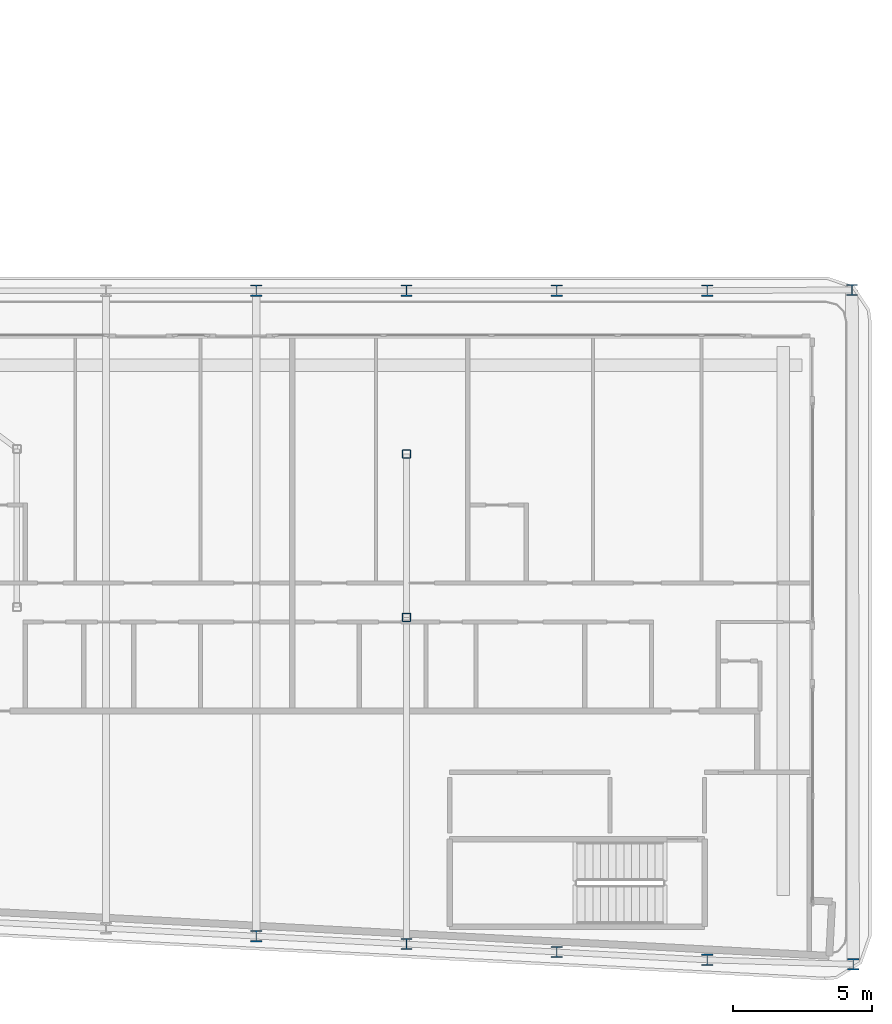
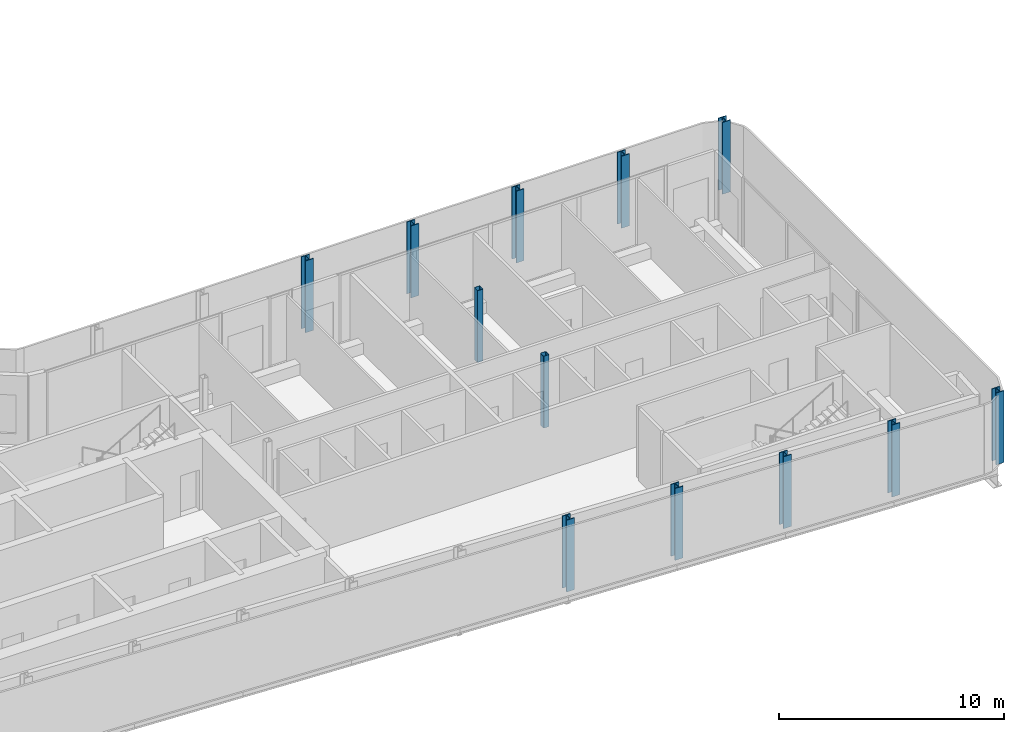
# One storey, part 2 of 22: 12 columns.
"""IFC4 building model written with IfcOpenShell, lengths in metres."""

from ifc_helpers import new_model, si_unit, direction, frame, origin, origin_2d, place, context, subcontext, project, spatial, hollow_rectangle, i_section, extrude, material, material_profile, profile_set, type_object, element, save


model = new_model("IFC4")

# Units and contexts
model_context = context("Model", 3, precision=1e-05, world=origin(), true_north=direction((0.0, 1.0)))
body_context = subcontext(model_context, "Body", "Model", "MODEL_VIEW")
ifc_project = project(units=[si_unit("LENGTHUNIT", "METRE"), si_unit("AREAUNIT", "SQUARE_METRE"), si_unit("VOLUMEUNIT", "CUBIC_METRE"), si_unit("PLANEANGLEUNIT", "RADIAN"), si_unit("MASSUNIT", "GRAM", prefix="KILO")], contexts=[model_context])

# Site, building, storey
site_placement = place(None, origin())
site = spatial("IfcSite", under=ifc_project, at=site_placement, CompositionType="ELEMENT")
building_placement = place(site_placement, origin())
building = spatial("IfcBuilding", under=site, at=building_placement, Name="Kheshtan School and Residences Tower", CompositionType="ELEMENT")
storey_placement = place(building_placement, frame((0.0, 0.0, 263.0)))
storey = spatial("IfcBuildingStorey", under=building, at=storey_placement, Name="L62", CompositionType="ELEMENT", Elevation=263.0)

# Columns
ifc_material_1 = material(Name="Steel ASTM A992 Grade 50", Category="steel")
ifc_material_profile_1 = material_profile(ifc_material_1, i_section(OverallWidth=0.404052734375, OverallDepth=0.406982421875, WebThickness=0.027099609375, FlangeThickness=0.043701171875, FilletRadius=0.01220703125, at=origin_2d()), Name="W360x347")
ifc_profile_set_1 = profile_set([ifc_material_profile_1], Name="Steel ASTM A992 Grade 50")
column_type_1 = type_object("IfcColumnType", Name="Column C4 W360x347 ASTM A992 Grade 50", PredefinedType="COLUMN", material=ifc_profile_set_1)
for number, where, z_axis, x_axis, name in (
    (1, (85.243896484375, 21.39990234375, 0.0), (0.0, 0.0, 1.0), (1.0, 0.0, 0.0), "Column C011"),
    (2, (80.0, 21.55810546875, 0.0), (0.0, 0.0, 1.0), (1.0, 0.0, 0.0), "Column C012"),
    (3, (74.60009765625, 21.843017578125, 0.0), (0.0, 0.0, 1.0), (1.0, 0.0, 0.0), "Column C013"),
    (4, (69.199951171875, 22.126953125, 0.0), (0.0, 0.0, 1.0), (1.0, 0.0, 0.0), "Column C014"),
    (5, (63.800048828125, 22.410888671875, 0.0), (0.0, 0.0, 1.0), (1.0, 0.0, 0.0), "Column C016"),
    (6, (63.800048828125, 45.60009765625, 0.0), (0.0, 0.0, 1.0), (1.0, 0.0, 0.0), "Column C063"),
    (7, (69.199951171875, 45.60009765625, 0.0), (0.0, 0.0, 1.0), (1.0, 0.0, 0.0), "Column C064"),
    (8, (74.60009765625, 45.60009765625, 0.0), (0.0, 0.0, 1.0), (1.0, 0.0, 0.0), "Column C065"),
    (9, (80.0, 45.60009765625, 0.0), (0.0, 0.0, 1.0), (1.0, 0.0, 0.0), "Column C066"),
    (10, (85.201904296875, 45.6279296875, 0.0), (0.0, 0.0, 1.0), (1.0, 0.0, 0.0), "Column C076"),
):
    element("IfcColumn", number, at=place(storey_placement, frame(where, z_axis=z_axis, x_axis=x_axis)), inside=storey, type_object=column_type_1, Name=name, PredefinedType="COLUMN", context=body_context, shape_type="SweptSolid", body=[
        extrude(i_section(OverallWidth=0.404052734375, OverallDepth=0.406982421875, WebThickness=0.027099609375, FlangeThickness=0.043701171875, FilletRadius=0.01220703125, at=origin_2d()), origin(), (0.0, 0.0, 1.0), 3.89990234375),
    ])
ifc_material_2 = material(Name="Steel ASTM A500 Grade C", Category="steel")
ifc_material_profile_2 = material_profile(ifc_material_2, hollow_rectangle(XDim=0.304931640625, YDim=0.304931640625, WallThickness=0.015869140625, InnerFilletRadius=0.015869140625, OuterFilletRadius=0.03173828125, at=origin_2d()), Name="HSS 305x305x15.9")
ifc_profile_set_2 = profile_set([ifc_material_profile_2], Name="Steel ASTM A500 Grade C")
column_type_2 = type_object("IfcColumnType", Name="Column IC2 HSS 305x305x15.9 ASTM A500 Grade C", PredefinedType="COLUMN", material=ifc_profile_set_2)
for number, where, z_axis, x_axis, name in (
    (11, (69.199951171875, 33.863037109375, 0.0), (0.0, 0.0, 1.0), (1.0, 0.0, 0.0), "Column C050"),
    (12, (69.199951171875, 39.73193359375, 0.0), (0.0, 0.0, 1.0), (1.0, 0.0, 0.0), "Column C054"),
):
    element("IfcColumn", number, at=place(storey_placement, frame(where, z_axis=z_axis, x_axis=x_axis)), inside=storey, type_object=column_type_2, Name=name, PredefinedType="COLUMN", context=body_context, shape_type="SweptSolid", body=[
        extrude(hollow_rectangle(XDim=0.304931640625, YDim=0.304931640625, WallThickness=0.015869140625, InnerFilletRadius=0.015869140625, OuterFilletRadius=0.03173828125, at=origin_2d()), origin(), (0.0, 0.0, 1.0), 3.89990234375),
    ])

save(model, "model.ifc")
